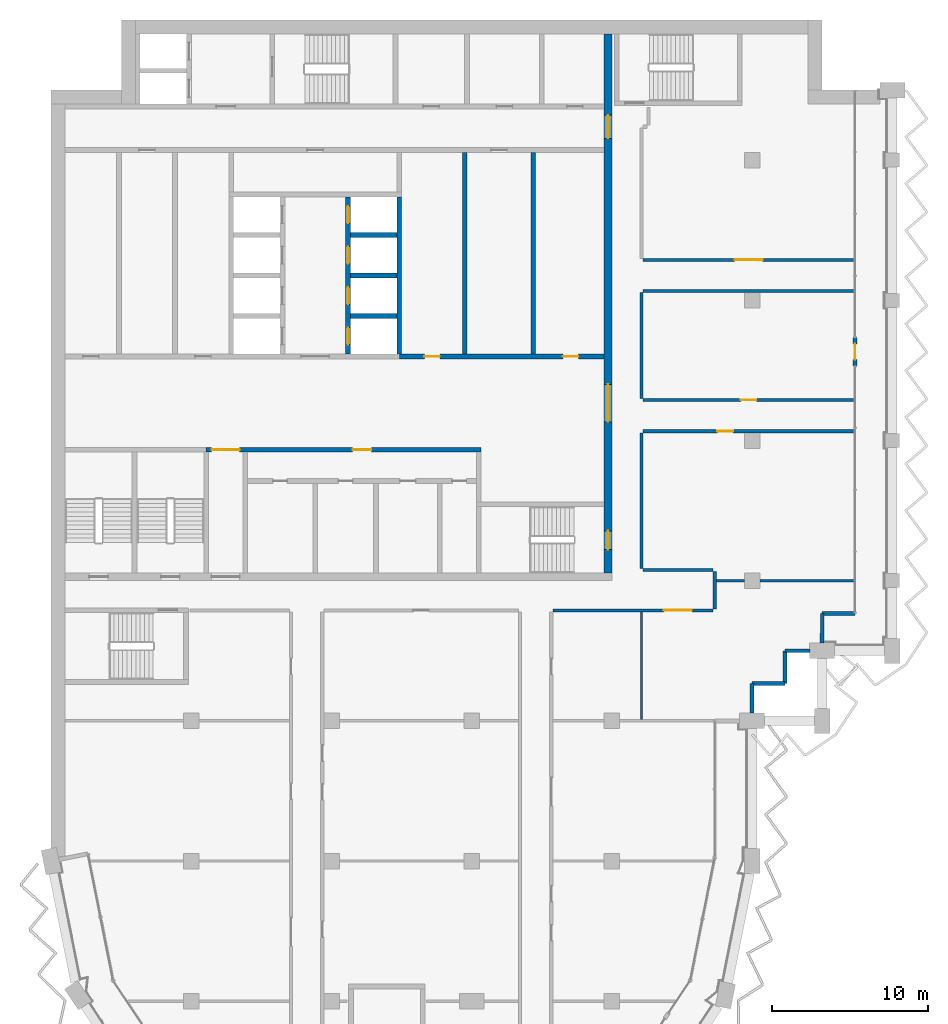
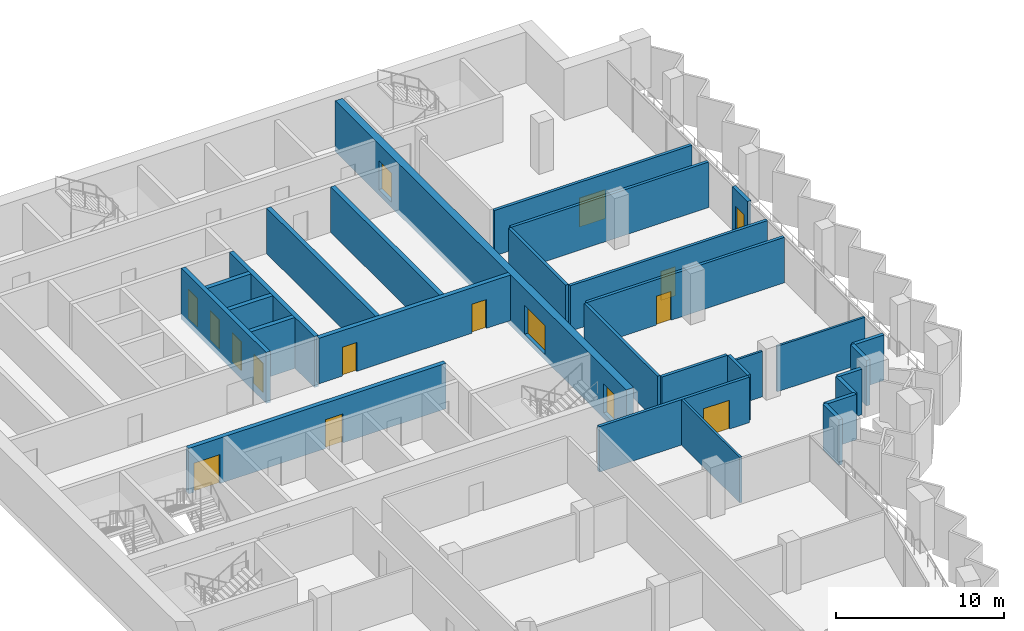
# One storey, part 9 of 16: 29 walls, 16 doors, 16 openings.
"""IFC4 building model written with IfcOpenShell, lengths in metres."""

from ifc_helpers import new_model, si_unit, direction, frame, frame_2d, origin, place, context, subcontext, project, spatial, rectangle, extrude, material, layer, layer_set, type_object, element, fill, save


model = new_model("IFC4")

# Units and contexts
model_context = context("Model", 3, precision=1e-05, world=origin(), true_north=direction((0.0, 1.0)))
body_context = subcontext(model_context, "Body", "Model", "MODEL_VIEW")
ifc_project = project(units=[si_unit("LENGTHUNIT", "METRE"), si_unit("AREAUNIT", "SQUARE_METRE"), si_unit("VOLUMEUNIT", "CUBIC_METRE"), si_unit("PLANEANGLEUNIT", "RADIAN"), si_unit("MASSUNIT", "GRAM", prefix="KILO")], contexts=[model_context])

# Site, building, storey
site_placement = place(None, origin())
site = spatial("IfcSite", under=ifc_project, at=site_placement, CompositionType="ELEMENT")
building_placement = place(site_placement, origin())
building = spatial("IfcBuilding", under=site, at=building_placement, Name="Hunhe Ridgeline Campus", CompositionType="ELEMENT")
storey_placement = place(building_placement, frame((0.0, 0.0, 250.300048828125)))
storey = spatial("IfcBuildingStorey", under=building, at=storey_placement, Name="L64", CompositionType="ELEMENT", Elevation=250.300048828125)

# Wall, openings, doors
ifc_material_1 = material(Name="Masonry concrete blockwork", Category="masonry")
ifc_layer_1 = layer(ifc_material_1, 0.300048828125)
ifc_layer_set_1 = layer_set([ifc_layer_1], Name="Core room partition 300 concrete block")
wall_type_1 = type_object("IfcWallType", Name="Core room partition 300 concrete block", PredefinedType="PARTITIONING", material=ifc_layer_set_1)
wall_1_placement = place(storey_placement, frame((9.949951171875, 71.39990234375, 0.0), z_axis=(0.0, 0.0, 1.0), x_axis=(1.0, 0.0, 0.0)))
wall_1 = element("IfcWall", 1, at=wall_1_placement, inside=storey, type_object=wall_type_1, Name="L64 core partition 9", PredefinedType="PARTITIONING", context=body_context, shape_type="SweptSolid", body=[
    extrude(rectangle(XDim=17.650146484375, YDim=0.300048828125, at=frame_2d((8.8251953125, 0.0))), origin(), (0.0, 0.0, 1.0), 3.300048828125),
])
opening_1_placement = place(wall_1_placement, frame((0.35009765625, 0.0, 0.0)))
opening_1 = element("IfcOpeningElement", 2, at=opening_1_placement, cuts=wall_1, Name="Opening CD7", PredefinedType="OPENING", context=body_context, shape_type="SweptSolid", body=[
    extrude(rectangle(XDim=1.800048828125, YDim=2.10009765625, at=frame_2d((0.89990234375, 1.050048828125))), frame((0.0, 0.14990234375, 0.0), z_axis=(0.0, -1.0, 0.0), x_axis=(1.0, 0.0, 0.0)), (0.0, 0.0, 1.0), 0.300048828125),
])
opening_2_placement = place(wall_1_placement, frame((9.39990234375, 0.0, 0.0)))
opening_2 = element("IfcOpeningElement", 3, at=opening_2_placement, cuts=wall_1, Name="Opening CD12", PredefinedType="OPENING", context=body_context, shape_type="SweptSolid", body=[
    extrude(rectangle(XDim=1.199951171875, YDim=2.10009765625, at=frame_2d((0.60009765625, 1.050048828125))), frame((0.0, 0.14990234375, 0.0), z_axis=(0.0, -1.0, 0.0), x_axis=(1.0, 0.0, 0.0)), (0.0, 0.0, 1.0), 0.300048828125),
])
ifc_material_2 = material(Name="Anodised aluminium and glass", Category="aluminium")
door_type_1 = type_object("IfcDoorType", Name="Glazed double door 1800x2100", OperationType="DOUBLE_DOOR_SINGLE_SWING", PredefinedType="DOOR", material=ifc_material_2)
door_1_placement = place(opening_1_placement, origin())
door_1 = element("IfcDoor", 4, at=door_1_placement, inside=storey, type_object=door_type_1, Name="L64 door VEST-HALL", OperationType="DOUBLE_DOOR_SINGLE_SWING", OverallHeight=2.10009765625, OverallWidth=1.800048828125, PredefinedType="DOOR", context=body_context, shape_type="SweptSolid", body=[
    extrude(rectangle(XDim=1.800048828125, YDim=2.10009765625, at=frame_2d((0.89990234375, 1.050048828125))), frame((0.0, 0.02490234375, 0.0), z_axis=(0.0, -1.0, 0.0), x_axis=(1.0, 0.0, 0.0)), (0.0, 0.0, 1.0), 0.050048828125),
])
fill(opening_1, door_1)
ifc_material_3 = material(Name="Solid core timber door leaf", Category="wood")
door_type_2 = type_object("IfcDoorType", Name="Timber door 1200x2100", OperationType="SINGLE_SWING_LEFT", PredefinedType="DOOR", material=ifc_material_3)
door_2_placement = place(opening_2_placement, origin())
door_2 = element("IfcDoor", 5, at=door_2_placement, inside=storey, type_object=door_type_2, Name="L64 door WCL2-HALL", OperationType="SINGLE_SWING_RIGHT", OverallHeight=2.10009765625, OverallWidth=1.199951171875, PredefinedType="DOOR", context=body_context, shape_type="SweptSolid", body=[
    extrude(rectangle(XDim=1.199951171875, YDim=2.10009765625, at=frame_2d((0.60009765625, 1.050048828125))), frame((0.0, 0.02490234375, 0.0), z_axis=(0.0, -1.0, 0.0), x_axis=(1.0, 0.0, 0.0)), (0.0, 0.0, 1.0), 0.050048828125),
])
fill(opening_2, door_2)

wall_2_placement = place(storey_placement, frame((22.35009765625, 77.39990234375, 0.0), z_axis=(0.0, 0.0, 1.0), x_axis=(1.0, 0.0, 0.0)))
wall_2 = element("IfcWall", 6, at=wall_2_placement, inside=storey, type_object=wall_type_1, Name="L64 core partition 11", PredefinedType="PARTITIONING", context=body_context, shape_type="SweptSolid", body=[
    extrude(rectangle(XDim=13.14990234375, YDim=0.300048828125, at=frame_2d((6.574951171875, 0.0))), origin(), (0.0, 0.0, 1.0), 3.300048828125),
])
opening_3_placement = place(wall_2_placement, frame((1.60009765625, 0.0, 0.0)))
opening_3 = element("IfcOpeningElement", 7, at=opening_3_placement, cuts=wall_2, Name="Opening CD32", PredefinedType="OPENING", context=body_context, shape_type="SweptSolid", body=[
    extrude(rectangle(XDim=1.0, YDim=2.10009765625, at=frame_2d((0.5, 1.050048828125))), frame((0.0, 0.14990234375, 0.0), z_axis=(0.0, -1.0, 0.0), x_axis=(1.0, 0.0, 0.0)), (0.0, 0.0, 1.0), 0.300048828125),
])
opening_4_placement = place(wall_2_placement, frame((10.5, 0.0, 0.0)))
opening_4 = element("IfcOpeningElement", 8, at=opening_4_placement, cuts=wall_2, Name="Opening CD42", PredefinedType="OPENING", context=body_context, shape_type="SweptSolid", body=[
    extrude(rectangle(XDim=1.0, YDim=2.10009765625, at=frame_2d((0.5, 1.050048828125))), frame((0.0, 0.14990234375, 0.0), z_axis=(0.0, -1.0, 0.0), x_axis=(1.0, 0.0, 0.0)), (0.0, 0.0, 1.0), 0.300048828125),
])
door_type_3 = type_object("IfcDoorType", Name="Timber door 1000x2100", OperationType="SINGLE_SWING_LEFT", PredefinedType="DOOR", material=ifc_material_3)
door_3_placement = place(opening_3_placement, origin())
door_3 = element("IfcDoor", 9, at=door_3_placement, inside=storey, type_object=door_type_3, Name="L64 door ES0", OperationType="SINGLE_SWING_RIGHT", OverallHeight=2.10009765625, OverallWidth=1.0, PredefinedType="DOOR", context=body_context, shape_type="SweptSolid", body=[
    extrude(rectangle(XDim=1.0, YDim=2.10009765625, at=frame_2d((0.5, 1.050048828125))), frame((0.0, 0.02490234375, 0.0), z_axis=(0.0, -1.0, 0.0), x_axis=(1.0, 0.0, 0.0)), (0.0, 0.0, 1.0), 0.050048828125),
])
fill(opening_3, door_3)
door_4_placement = place(opening_4_placement, origin())
door_4 = element("IfcDoor", 10, at=door_4_placement, inside=storey, type_object=door_type_3, Name="L64 door ES2", OperationType="SINGLE_SWING_RIGHT", OverallHeight=2.10009765625, OverallWidth=1.0, PredefinedType="DOOR", context=body_context, shape_type="SweptSolid", body=[
    extrude(rectangle(XDim=1.0, YDim=2.10009765625, at=frame_2d((0.5, 1.050048828125))), frame((0.0, 0.02490234375, 0.0), z_axis=(0.0, -1.0, 0.0), x_axis=(1.0, 0.0, 0.0)), (0.0, 0.0, 1.0), 0.050048828125),
])
fill(opening_4, door_4)

# Walls
for number, where, z_axis, x_axis, name in (
    (11, (26.550048828125, 77.550048828125, 0.0), (0.0, 0.0, 1.0), (0.0, 1.0, 0.0), "L64 core partition 44"),
    (12, (30.949951171875, 77.550048828125, 0.0), (0.0, 0.0, 1.0), (0.0, 1.0, 0.0), "L64 core partition 48"),
):
    element("IfcWall", number, at=place(storey_placement, frame(where, z_axis=z_axis, x_axis=x_axis)), inside=storey, type_object=wall_type_1, Name=name, PredefinedType="PARTITIONING", context=body_context, shape_type="SweptSolid", body=[
        extrude(rectangle(XDim=12.949951171875, YDim=0.300048828125, at=frame_2d((6.47509765625, 0.0))), origin(), (0.0, 0.0, 1.0), 3.300048828125),
    ])

# Wall, openings, doors
ifc_material_4 = material(Name="Concrete C50", Category="concrete")
ifc_layer_2 = layer(ifc_material_4, 0.5)
ifc_layer_set_2 = layer_set([ifc_layer_2], Name="Core wall 500 reinforced concrete C50")
wall_type_2 = type_object("IfcWallType", Name="Core wall 500 reinforced concrete C50", PredefinedType="SOLIDWALL", material=ifc_layer_set_2)
wall_3_placement = place(storey_placement, frame((35.75, 63.5, -0.400146484375), z_axis=(0.0, 0.0, 1.0), x_axis=(0.0, 1.0, 0.0)))
wall_3 = element("IfcWall", 13, at=wall_3_placement, inside=storey, type_object=wall_type_2, Name="L64 core wall 50", PredefinedType="SOLIDWALL", context=body_context, shape_type="SweptSolid", body=[
    extrude(rectangle(XDim=34.60009765625, YDim=0.5, at=frame_2d((17.300048828125, 0.0))), origin(), (0.0, 0.0, 1.0), 3.7001953125),
])
opening_5_placement = place(wall_3_placement, frame((9.699951171875, 0.0, 0.39990234375)))
opening_5 = element("IfcOpeningElement", 14, at=opening_5_placement, cuts=wall_3, Name="Opening CD4", PredefinedType="OPENING", context=body_context, shape_type="SweptSolid", body=[
    extrude(rectangle(XDim=2.39990234375, YDim=2.10009765625, at=frame_2d((1.199951171875, 1.050048828125))), frame((0.0, 0.25, 0.0), z_axis=(0.0, -1.0, 0.0), x_axis=(1.0, 0.0, 0.0)), (0.0, 0.0, 1.0), 0.5),
])
opening_6_placement = place(wall_3_placement, frame((27.89990234375, 0.0, 0.39990234375)))
opening_6 = element("IfcOpeningElement", 15, at=opening_6_placement, cuts=wall_3, Name="Opening CD5", PredefinedType="OPENING", context=body_context, shape_type="SweptSolid", body=[
    extrude(rectangle(XDim=1.5, YDim=2.10009765625, at=frame_2d((0.75, 1.050048828125))), frame((0.0, 0.25, 0.0), z_axis=(0.0, -1.0, 0.0), x_axis=(1.0, 0.0, 0.0)), (0.0, 0.0, 1.0), 0.5),
])
opening_7_placement = place(wall_3_placement, frame((1.5, 0.0, 0.39990234375)))
opening_7 = element("IfcOpeningElement", 16, at=opening_7_placement, cuts=wall_3, Name="Opening CD15", PredefinedType="OPENING", context=body_context, shape_type="SweptSolid", body=[
    extrude(rectangle(XDim=1.199951171875, YDim=2.10009765625, at=frame_2d((0.60009765625, 1.050048828125))), frame((0.0, 0.25, 0.0), z_axis=(0.0, -1.0, 0.0), x_axis=(1.0, 0.0, 0.0)), (0.0, 0.0, 1.0), 0.5),
])
door_type_4 = type_object("IfcDoorType", Name="Glazed double door 2400x2100", OperationType="DOUBLE_DOOR_SINGLE_SWING", PredefinedType="DOOR", material=ifc_material_2)
door_5_placement = place(opening_5_placement, frame((2.39990234375, 0.0, 0.0), z_axis=(0.0, 0.0, 1.0), x_axis=(-1.0, 0.0, 0.0)))
door_5 = element("IfcDoor", 17, at=door_5_placement, inside=storey, type_object=door_type_4, Name="L64 door HALL-FLOOR", OperationType="DOUBLE_DOOR_SINGLE_SWING", OverallHeight=2.10009765625, OverallWidth=2.39990234375, PredefinedType="DOOR", context=body_context, shape_type="SweptSolid", body=[
    extrude(rectangle(XDim=2.39990234375, YDim=2.10009765625, at=frame_2d((1.199951171875, 1.050048828125))), frame((0.0, 0.02490234375, 0.0), z_axis=(0.0, -1.0, 0.0), x_axis=(1.0, 0.0, 0.0)), (0.0, 0.0, 1.0), 0.050048828125),
])
fill(opening_5, door_5)
ifc_material_5 = material(Name="Hollow metal fire door leaf")
door_type_5 = type_object("IfcDoorType", Name="Stair door 1200x2100 FD60", OperationType="SINGLE_SWING_LEFT", PredefinedType="DOOR", material=ifc_material_5)
door_6_placement = place(opening_7_placement, frame((1.199951171875, 0.0, 0.0), z_axis=(0.0, 0.0, 1.0), x_axis=(-1.0, 0.0, 0.0)))
door_6 = element("IfcDoor", 18, at=door_6_placement, inside=storey, type_object=door_type_5, Name="L64 door S2-FLOOR", OperationType="SINGLE_SWING_LEFT", OverallHeight=2.10009765625, OverallWidth=1.199951171875, PredefinedType="DOOR", context=body_context, shape_type="SweptSolid", body=[
    extrude(rectangle(XDim=1.199951171875, YDim=2.10009765625, at=frame_2d((0.60009765625, 1.050048828125))), frame((0.0, 0.02490234375, 0.0), z_axis=(0.0, -1.0, 0.0), x_axis=(1.0, 0.0, 0.0)), (0.0, 0.0, 1.0), 0.050048828125),
])
fill(opening_7, door_6)
door_type_6 = type_object("IfcDoorType", Name="Timber door 1500x2100", OperationType="SINGLE_SWING_LEFT", PredefinedType="DOOR", material=ifc_material_3)
door_7_placement = place(opening_6_placement, frame((1.5, 0.0, 0.0), z_axis=(0.0, 0.0, 1.0), x_axis=(-1.0, 0.0, 0.0)))
door_7 = element("IfcDoor", 19, at=door_7_placement, inside=storey, type_object=door_type_6, Name="L64 door C1-FLOOR", OperationType="SINGLE_SWING_LEFT", OverallHeight=2.10009765625, OverallWidth=1.5, PredefinedType="DOOR", context=body_context, shape_type="SweptSolid", body=[
    extrude(rectangle(XDim=1.5, YDim=2.10009765625, at=frame_2d((0.75, 1.050048828125))), frame((0.0, 0.02490234375, 0.0), z_axis=(0.0, -1.0, 0.0), x_axis=(1.0, 0.0, 0.0)), (0.0, 0.0, 1.0), 0.050048828125),
])
fill(opening_6, door_7)

# Walls
ifc_material_6 = material(Name="Concrete C30", Category="concrete")
ifc_layer_3 = layer(ifc_material_6, 0.25)
ifc_layer_set_3 = layer_set([ifc_layer_3], Name="Corner return wall 250 Concrete C30")
wall_type_3 = type_object("IfcWallType", Name="Corner return wall 250 Concrete C30", PredefinedType="SOLIDWALL", material=ifc_layer_set_3)
wall_4_placement = place(storey_placement, frame((44.9990234375, 54.5, 0.0), z_axis=(0.0, 0.0, 1.0), x_axis=(0.000128452151, 0.99999999175, 0.0)))
element("IfcWall", 20, at=wall_4_placement, inside=storey, type_object=wall_type_3, Name="Corner return wall 3", PredefinedType="SOLIDWALL", context=body_context, shape_type="SweptSolid", body=[
    extrude(rectangle(XDim=1.900634765625, YDim=0.25, at=frame_2d((0.9501953125, 0.0))), origin(), (0.0, 0.0, 1.0), 3.300048828125),
])
wall_5_placement = place(storey_placement, frame((44.999267578125, 56.400634765625, 0.0), z_axis=(0.0, 0.0, 1.0), x_axis=(0.999999993241, 0.00011626555, 0.0)))
element("IfcWall", 21, at=wall_5_placement, inside=storey, type_object=wall_type_3, Name="Corner return wall 4", PredefinedType="SOLIDWALL", context=body_context, shape_type="SweptSolid", body=[
    extrude(rectangle(XDim=2.099853515625, YDim=0.25, at=frame_2d((1.0498046875, 0.0))), origin(), (0.0, 0.0, 1.0), 3.300048828125),
])
wall_6_placement = place(storey_placement, frame((47.09912109375, 56.40087890625, 0.0), z_axis=(0.0, 0.0, 1.0), x_axis=(0.000232504063, 0.999999972971, 0.0)))
element("IfcWall", 22, at=wall_6_placement, inside=storey, type_object=wall_type_3, Name="Corner return wall 5", PredefinedType="SOLIDWALL", context=body_context, shape_type="SweptSolid", body=[
    extrude(rectangle(XDim=2.10009765625, YDim=0.25, at=frame_2d((1.050048828125, 0.0))), origin(), (0.0, 0.0, 1.0), 3.300048828125),
])
wall_7_placement = place(storey_placement, frame((47.099609375, 58.5009765625, 0.0), z_axis=(0.0, 0.0, 1.0), x_axis=(1.0, 0.0, 0.0)))
element("IfcWall", 23, at=wall_7_placement, inside=storey, type_object=wall_type_3, Name="Corner return wall 6", PredefinedType="SOLIDWALL", context=body_context, shape_type="SweptSolid", body=[
    extrude(rectangle(XDim=1.600341796875, YDim=0.25, at=frame_2d((0.80029296875, 0.0))), origin(), (0.0, 0.0, 1.0), 3.300048828125),
])
wall_8_placement = place(storey_placement, frame((49.4990234375, 59.0, 0.0), z_axis=(0.0, 0.0, 1.0), x_axis=(0.000256871299, 0.999999967009, 0.0)))
element("IfcWall", 24, at=wall_8_placement, inside=storey, type_object=wall_type_3, Name="Corner return wall 7", PredefinedType="SOLIDWALL", context=body_context, shape_type="SweptSolid", body=[
    extrude(rectangle(XDim=1.90087890625, YDim=0.25, at=frame_2d((0.950439453125, 0.0))), origin(), (0.0, 0.0, 1.0), 3.300048828125),
])
wall_9_placement = place(storey_placement, frame((49.49951171875, 60.90087890625, 0.0), z_axis=(0.0, 0.0, 1.0), x_axis=(1.0, 0.0, 0.0)))
element("IfcWall", 25, at=wall_9_placement, inside=storey, type_object=wall_type_3, Name="Corner return wall 8", PredefinedType="SOLIDWALL", context=body_context, shape_type="SweptSolid", body=[
    extrude(rectangle(XDim=2.099609375, YDim=0.25, at=frame_2d((1.0498046875, 0.0))), origin(), (0.0, 0.0, 1.0), 3.300048828125),
])

# Wall, opening, door
ifc_material_7 = material(Name="Gypsum board partition")
ifc_layer_4 = layer(ifc_material_7, 0.199951171875)
ifc_layer_set_4 = layer_set([ifc_layer_4], Name="Corridor partition 200 gypsum board on steel studs")
wall_type_4 = type_object("IfcWallType", Name="Corridor partition 200 gypsum board on steel studs", PredefinedType="PARTITIONING", material=ifc_layer_set_4)
wall_10_placement = place(storey_placement, frame((42.5, 61.10009765625, 0.0), z_axis=(0.0, 0.0, 1.0), x_axis=(-1.0, 0.0, 0.0)))
wall_10 = element("IfcWall", 26, at=wall_10_placement, inside=storey, type_object=wall_type_4, Name="F-L64-wall-024", PredefinedType="PARTITIONING", context=body_context, shape_type="SweptSolid", body=[
    extrude(rectangle(XDim=10.300048828125, YDim=0.199951171875, at=frame_2d((5.14990234375, 0.0))), origin(), (0.0, 0.0, 1.0), 3.300048828125),
])
opening_8_placement = place(wall_10_placement, frame((1.361083984375, 0.0, 0.0)))
opening_8 = element("IfcOpeningElement", 27, at=opening_8_placement, cuts=wall_10, Name="Opening RD2-016", PredefinedType="OPENING", context=body_context, shape_type="SweptSolid", body=[
    extrude(rectangle(XDim=1.800048828125, YDim=2.10009765625, at=frame_2d((0.89990234375, 1.050048828125))), frame((0.0, 0.10009765625, 0.0), z_axis=(0.0, -1.0, 0.0), x_axis=(1.0, 0.0, 0.0)), (0.0, 0.0, 1.0), 0.199951171875),
])
ifc_material_8 = material(Name="Timber door leaf", Category="wood")
door_type_7 = type_object("IfcDoorType", Name="Double fire door 1800x2100 timber FD60", OperationType="DOUBLE_DOOR_SINGLE_SWING", PredefinedType="DOOR", material=ifc_material_8)
door_8_placement = place(opening_8_placement, origin())
door_8 = element("IfcDoor", 28, at=door_8_placement, inside=storey, type_object=door_type_7, Name="F-L64-door-016", OperationType="DOUBLE_DOOR_SINGLE_SWING", OverallHeight=2.10009765625, OverallWidth=1.800048828125, PredefinedType="DOOR", context=body_context, shape_type="SweptSolid", body=[
    extrude(rectangle(XDim=1.800048828125, YDim=2.10009765625, at=frame_2d((0.89990234375, 1.050048828125))), frame((0.0, 0.02490234375, 0.0), z_axis=(0.0, -1.0, 0.0), x_axis=(1.0, 0.0, 0.0)), (0.0, 0.0, 1.0), 0.050048828125),
])
fill(opening_8, door_8)

# Wall
wall_11_placement = place(storey_placement, frame((38.0, 63.699951171875, 0.0), z_axis=(0.0, 0.0, 1.0), x_axis=(1.0, 0.0, 0.0)))
element("IfcWall", 29, at=wall_11_placement, inside=storey, type_object=wall_type_4, Name="F-L64-wall-027", PredefinedType="PARTITIONING", context=body_context, shape_type="SweptSolid", body=[
    extrude(rectangle(XDim=4.5, YDim=0.199951171875, at=frame_2d((2.25, 0.0))), origin(), (0.0, 0.0, 1.0), 3.300048828125),
])

# Wall, opening, door
wall_12_placement = place(storey_placement, frame((51.544921875, 72.60009765625, 0.0), z_axis=(0.0, 0.0, 1.0), x_axis=(-1.0, 0.0, 0.0)))
wall_12 = element("IfcWall", 30, at=wall_12_placement, inside=storey, type_object=wall_type_4, Name="F-L64-wall-028", PredefinedType="PARTITIONING", context=body_context, shape_type="SweptSolid", body=[
    extrude(rectangle(XDim=13.544921875, YDim=0.199951171875, at=frame_2d((6.7724609375, 0.0))), origin(), (0.0, 0.0, 1.0), 3.300048828125),
])
opening_9_placement = place(wall_12_placement, frame((7.7724609375, 0.0, 0.0)))
opening_9 = element("IfcOpeningElement", 31, at=opening_9_placement, cuts=wall_12, Name="Opening RD1-017", PredefinedType="OPENING", context=body_context, shape_type="SweptSolid", body=[
    extrude(rectangle(XDim=1.0, YDim=2.10009765625, at=frame_2d((0.5, 1.050048828125))), frame((0.0, 0.10009765625, 0.0), z_axis=(0.0, -1.0, 0.0), x_axis=(1.0, 0.0, 0.0)), (0.0, 0.0, 1.0), 0.199951171875),
])
door_type_8 = type_object("IfcDoorType", Name="Single fire door 1000x2100 timber FD60", OperationType="NOTDEFINED", PredefinedType="DOOR", material=ifc_material_8)
door_9_placement = place(opening_9_placement, origin())
door_9 = element("IfcDoor", 32, at=door_9_placement, inside=storey, type_object=door_type_8, Name="F-L64-door-017", OperationType="SINGLE_SWING_RIGHT", OverallHeight=2.10009765625, OverallWidth=1.0, PredefinedType="DOOR", context=body_context, shape_type="SweptSolid", body=[
    extrude(rectangle(XDim=1.0, YDim=2.10009765625, at=frame_2d((0.5, 1.050048828125))), frame((0.0, 0.02490234375, 0.0), z_axis=(0.0, -1.0, 0.0), x_axis=(1.0, 0.0, 0.0)), (0.0, 0.0, 1.0), 0.050048828125),
])
fill(opening_9, door_9)

wall_13_placement = place(storey_placement, frame((38.0, 74.60009765625, 0.0), z_axis=(0.0, 0.0, 1.0), x_axis=(1.0, 0.0, 0.0)))
wall_13 = element("IfcWall", 33, at=wall_13_placement, inside=storey, type_object=wall_type_4, Name="F-L64-wall-029", PredefinedType="PARTITIONING", context=body_context, shape_type="SweptSolid", body=[
    extrude(rectangle(XDim=13.544921875, YDim=0.199951171875, at=frame_2d((6.7724609375, 0.0))), origin(), (0.0, 0.0, 1.0), 3.300048828125),
])
opening_10_placement = place(wall_13_placement, frame((6.2724609375, 0.0, 0.0)))
opening_10 = element("IfcOpeningElement", 34, at=opening_10_placement, cuts=wall_13, Name="Opening RD1-018", PredefinedType="OPENING", context=body_context, shape_type="SweptSolid", body=[
    extrude(rectangle(XDim=1.0, YDim=2.10009765625, at=frame_2d((0.5, 1.050048828125))), frame((0.0, 0.10009765625, 0.0), z_axis=(0.0, -1.0, 0.0), x_axis=(1.0, 0.0, 0.0)), (0.0, 0.0, 1.0), 0.199951171875),
])
door_10_placement = place(opening_10_placement, origin())
door_10 = element("IfcDoor", 35, at=door_10_placement, inside=storey, type_object=door_type_8, Name="F-L64-door-018", OperationType="SINGLE_SWING_RIGHT", OverallHeight=2.10009765625, OverallWidth=1.0, PredefinedType="DOOR", context=body_context, shape_type="SweptSolid", body=[
    extrude(rectangle(XDim=1.0, YDim=2.10009765625, at=frame_2d((0.5, 1.050048828125))), frame((0.0, 0.02490234375, 0.0), z_axis=(0.0, -1.0, 0.0), x_axis=(1.0, 0.0, 0.0)), (0.0, 0.0, 1.0), 0.050048828125),
])
fill(opening_10, door_10)

# Wall
wall_14_placement = place(storey_placement, frame((51.544921875, 81.60009765625, 0.0), z_axis=(0.0, 0.0, 1.0), x_axis=(-1.0, 0.0, 0.0)))
element("IfcWall", 36, at=wall_14_placement, inside=storey, type_object=wall_type_4, Name="F-L64-wall-030", PredefinedType="PARTITIONING", context=body_context, shape_type="SweptSolid", body=[
    extrude(rectangle(XDim=13.544921875, YDim=0.199951171875, at=frame_2d((6.7724609375, 0.0))), origin(), (0.0, 0.0, 1.0), 3.300048828125),
])

# Wall, opening, door
wall_15_placement = place(storey_placement, frame((38.0, 83.60009765625, 0.0), z_axis=(0.0, 0.0, 1.0), x_axis=(1.0, 0.0, 0.0)))
wall_15 = element("IfcWall", 37, at=wall_15_placement, inside=storey, type_object=wall_type_4, Name="F-L64-wall-031", PredefinedType="PARTITIONING", context=body_context, shape_type="SweptSolid", body=[
    extrude(rectangle(XDim=13.544921875, YDim=0.199951171875, at=frame_2d((6.7724609375, 0.0))), origin(), (0.0, 0.0, 1.0), 3.300048828125),
])
opening_11_placement = place(wall_15_placement, frame((5.87255859375, 0.0, 0.0)))
opening_11 = element("IfcOpeningElement", 38, at=opening_11_placement, cuts=wall_15, Name="Opening RD2-019", PredefinedType="OPENING", context=body_context, shape_type="SweptSolid", body=[
    extrude(rectangle(XDim=1.800048828125, YDim=2.10009765625, at=frame_2d((0.89990234375, 1.050048828125))), frame((0.0, 0.10009765625, 0.0), z_axis=(0.0, -1.0, 0.0), x_axis=(1.0, 0.0, 0.0)), (0.0, 0.0, 1.0), 0.199951171875),
])
door_11_placement = place(opening_11_placement, origin())
door_11 = element("IfcDoor", 39, at=door_11_placement, inside=storey, type_object=door_type_7, Name="F-L64-door-019", OperationType="DOUBLE_DOOR_SINGLE_SWING", OverallHeight=2.10009765625, OverallWidth=1.800048828125, PredefinedType="DOOR", context=body_context, shape_type="SweptSolid", body=[
    extrude(rectangle(XDim=1.800048828125, YDim=2.10009765625, at=frame_2d((0.89990234375, 1.050048828125))), frame((0.0, 0.02490234375, 0.0), z_axis=(0.0, -1.0, 0.0), x_axis=(1.0, 0.0, 0.0)), (0.0, 0.0, 1.0), 0.050048828125),
])
fill(opening_11, door_11)

# Walls
wall_16_placement = place(storey_placement, frame((37.89990234375, 72.5, 0.0), z_axis=(0.0, 0.0, 1.0), x_axis=(0.0, -1.0, 0.0)))
element("IfcWall", 40, at=wall_16_placement, inside=storey, type_object=wall_type_4, Name="F-L64-wall-039", PredefinedType="PARTITIONING", context=body_context, shape_type="SweptSolid", body=[
    extrude(rectangle(XDim=8.699951171875, YDim=0.199951171875, at=frame_2d((4.35009765625, 0.0))), origin(), (0.0, 0.0, 1.0), 3.300048828125),
])
wall_17_placement = place(storey_placement, frame((37.89990234375, 81.5, 0.0), z_axis=(0.0, 0.0, 1.0), x_axis=(0.0, -1.0, 0.0)))
element("IfcWall", 41, at=wall_17_placement, inside=storey, type_object=wall_type_4, Name="F-L64-wall-040", PredefinedType="PARTITIONING", context=body_context, shape_type="SweptSolid", body=[
    extrude(rectangle(XDim=6.800048828125, YDim=0.199951171875, at=frame_2d((3.39990234375, 0.0))), origin(), (0.0, 0.0, 1.0), 3.300048828125),
])
wall_18_placement = place(storey_placement, frame((42.60009765625, 63.60009765625, 0.0), z_axis=(0.0, 0.0, 1.0), x_axis=(0.0, -1.0, 0.0)))
element("IfcWall", 42, at=wall_18_placement, inside=storey, type_object=wall_type_4, Name="F-L64-wall-043", PredefinedType="PARTITIONING", context=body_context, shape_type="SweptSolid", body=[
    extrude(rectangle(XDim=2.400146484375, YDim=0.199951171875, at=frame_2d((1.2001953125, 0.0))), origin(), (0.0, 0.0, 1.0), 3.300048828125),
])

# Wall, opening, door
ifc_layer_5 = layer(ifc_material_6, 0.25)
ifc_layer_set_5 = layer_set([ifc_layer_5], Name="Loggia door pier wall 250 Concrete C30")
wall_type_5 = type_object("IfcWallType", Name="Loggia door pier wall 250 Concrete C30", PredefinedType="SOLIDWALL", material=ifc_layer_set_5)
wall_19_placement = place(storey_placement, frame((51.59912109375, 76.800537109375, 0.0), z_axis=(0.0, 0.0, 1.0), x_axis=(0.0, 1.0, 0.0)))
wall_19 = element("IfcWall", 43, at=wall_19_placement, inside=storey, type_object=wall_type_5, Name="Loggia door pier 3", PredefinedType="SOLIDWALL", context=body_context, shape_type="SweptSolid", body=[
    extrude(rectangle(XDim=1.800048828125, YDim=0.25, at=frame_2d((0.89990234375, 0.0))), origin(), (0.0, 0.0, 1.0), 3.300048828125),
])
opening_12_placement = place(wall_19_placement, frame((0.39990234375, 0.0, 0.0)))
opening_12 = element("IfcOpeningElement", 44, at=opening_12_placement, cuts=wall_19, Name="Opening BD506", PredefinedType="OPENING", context=body_context, shape_type="SweptSolid", body=[
    extrude(rectangle(XDim=1.0, YDim=2.10009765625, at=frame_2d((0.5, 1.050048828125))), frame((0.0, 0.125, 0.0), z_axis=(0.0, -1.0, 0.0), x_axis=(1.0, 0.0, 0.0)), (0.0, 0.0, 1.0), 0.25),
])
ifc_material_9 = material(Name="Aluminium 6063", Category="aluminium")
door_type_9 = type_object("IfcDoorType", Name="Loggia glazed door 1000x2100", OperationType="NOTDEFINED", PredefinedType="DOOR", material=ifc_material_9)
door_12_placement = place(opening_12_placement, frame((1.0, 0.0, 0.0), z_axis=(0.0, 0.0, 1.0), x_axis=(-1.0, 0.0, 0.0)))
door_12 = element("IfcDoor", 45, at=door_12_placement, inside=storey, type_object=door_type_9, Name="Loggia door BD506", OperationType="SINGLE_SWING_LEFT", OverallHeight=2.10009765625, OverallWidth=1.0, PredefinedType="DOOR", context=body_context, shape_type="SweptSolid", body=[
    extrude(rectangle(XDim=1.0, YDim=2.10009765625, at=frame_2d((0.5, 1.050048828125))), frame((0.0, 0.02490234375, 0.0), z_axis=(0.0, -1.0, 0.0), x_axis=(1.0, 0.0, 0.0)), (0.0, 0.0, 1.0), 0.050048828125),
])
fill(opening_12, door_12)

# Walls
ifc_layer_6 = layer(ifc_material_7, 0.14990234375)
ifc_layer_set_6 = layer_set([ifc_layer_6], Name="Room partition 150 gypsum board on steel studs")
wall_type_6 = type_object("IfcWallType", Name="Room partition 150 gypsum board on steel studs", PredefinedType="PARTITIONING", material=ifc_layer_set_6)
wall_20_placement = place(storey_placement, frame((42.699951171875, 63.0, 0.0), z_axis=(0.0, 0.0, 1.0), x_axis=(1.0, 0.0, 0.0)))
element("IfcWall", 46, at=wall_20_placement, inside=storey, type_object=wall_type_6, Name="F-L64-wall-025", PredefinedType="PARTITIONING", context=body_context, shape_type="SweptSolid", body=[
    extrude(rectangle(XDim=1.800048828125, YDim=0.14990234375, at=frame_2d((0.89990234375, 0.0))), origin(), (0.0, 0.0, 1.0), 3.300048828125),
])
wall_21_placement = place(storey_placement, frame((45.5, 63.0, 0.0), z_axis=(0.0, 0.0, 1.0), x_axis=(1.0, 0.0, 0.0)))
element("IfcWall", 47, at=wall_21_placement, inside=storey, type_object=wall_type_6, Name="F-L64-wall-026", PredefinedType="PARTITIONING", context=body_context, shape_type="SweptSolid", body=[
    extrude(rectangle(XDim=6.044921875, YDim=0.14990234375, at=frame_2d((3.0224609375, 0.0))), origin(), (0.0, 0.0, 1.0), 3.300048828125),
])
wall_22_placement = place(storey_placement, frame((37.89990234375, 61.0, 0.0), z_axis=(0.0, 0.0, 1.0), x_axis=(0.0, -1.0, 0.0)))
element("IfcWall", 48, at=wall_22_placement, inside=storey, type_object=wall_type_6, Name="F-L64-wall-038", PredefinedType="PARTITIONING", context=body_context, shape_type="SweptSolid", body=[
    extrude(rectangle(XDim=6.925048828125, YDim=0.14990234375, at=frame_2d((3.46240234375, 0.0))), origin(), (0.0, 0.0, 1.0), 3.300048828125),
])
ifc_layer_7 = layer(ifc_material_4, 0.300048828125)
ifc_layer_set_7 = layer_set([ifc_layer_7], Name="Shaft wall 300 reinforced concrete C50")
wall_type_7 = type_object("IfcWallType", Name="Shaft wall 300 reinforced concrete C50", PredefinedType="SOLIDWALL", material=ifc_layer_set_7)
for number, where, z_axis, x_axis, name in (
    (49, (19.199951171875, 80.0, -0.400146484375), (0.0, 0.0, 1.0), (1.0, 0.0, 0.0), "L64 core wall 13"),
    (50, (19.199951171875, 82.60009765625, -0.400146484375), (0.0, 0.0, 1.0), (1.0, 0.0, 0.0), "L64 core wall 15"),
    (51, (19.199951171875, 85.199951171875, -0.400146484375), (0.0, 0.0, 1.0), (1.0, 0.0, 0.0), "L64 core wall 17"),
):
    element("IfcWall", number, at=place(storey_placement, frame(where, z_axis=z_axis, x_axis=x_axis)), inside=storey, type_object=wall_type_7, Name=name, PredefinedType="SOLIDWALL", context=body_context, shape_type="SweptSolid", body=[
        extrude(rectangle(XDim=3.0, YDim=0.300048828125, at=frame_2d((1.5, 0.0))), origin(), (0.0, 0.0, 1.0), 3.7001953125),
    ])

# Wall, openings, doors
wall_23_placement = place(storey_placement, frame((19.050048828125, 77.550048828125, -0.400146484375), z_axis=(0.0, 0.0, 1.0), x_axis=(0.0, 1.0, 0.0)))
wall_23 = element("IfcWall", 52, at=wall_23_placement, inside=storey, type_object=wall_type_7, Name="L64 core wall 36", PredefinedType="SOLIDWALL", context=body_context, shape_type="SweptSolid", body=[
    extrude(rectangle(XDim=10.099853515625, YDim=0.300048828125, at=frame_2d((5.0498046875, 0.0))), origin(), (0.0, 0.0, 1.0), 3.7001953125),
])
opening_13_placement = place(wall_23_placement, frame((0.60009765625, 0.0, 0.39990234375)))
opening_13 = element("IfcOpeningElement", 53, at=opening_13_placement, cuts=wall_23, Name="Opening LD-HR5", PredefinedType="OPENING", context=body_context, shape_type="SweptSolid", body=[
    extrude(rectangle(XDim=1.10009765625, YDim=2.10009765625, at=frame_2d((0.550048828125, 1.050048828125))), frame((0.0, 0.14990234375, 0.0), z_axis=(0.0, -1.0, 0.0), x_axis=(1.0, 0.0, 0.0)), (0.0, 0.0, 1.0), 0.300048828125),
])
opening_14_placement = place(wall_23_placement, frame((3.199951171875, 0.0, 0.39990234375)))
opening_14 = element("IfcOpeningElement", 54, at=opening_14_placement, cuts=wall_23, Name="Opening LD-HR6", PredefinedType="OPENING", context=body_context, shape_type="SweptSolid", body=[
    extrude(rectangle(XDim=1.10009765625, YDim=2.10009765625, at=frame_2d((0.550048828125, 1.050048828125))), frame((0.0, 0.14990234375, 0.0), z_axis=(0.0, -1.0, 0.0), x_axis=(1.0, 0.0, 0.0)), (0.0, 0.0, 1.0), 0.300048828125),
])
opening_15_placement = place(wall_23_placement, frame((5.800048828125, 0.0, 0.39990234375)))
opening_15 = element("IfcOpeningElement", 55, at=opening_15_placement, cuts=wall_23, Name="Opening LD-HR7", PredefinedType="OPENING", context=body_context, shape_type="SweptSolid", body=[
    extrude(rectangle(XDim=1.10009765625, YDim=2.10009765625, at=frame_2d((0.550048828125, 1.050048828125))), frame((0.0, 0.14990234375, 0.0), z_axis=(0.0, -1.0, 0.0), x_axis=(1.0, 0.0, 0.0)), (0.0, 0.0, 1.0), 0.300048828125),
])
opening_16_placement = place(wall_23_placement, frame((8.39990234375, 0.0, 0.39990234375)))
opening_16 = element("IfcOpeningElement", 56, at=opening_16_placement, cuts=wall_23, Name="Opening LD-HR8", PredefinedType="OPENING", context=body_context, shape_type="SweptSolid", body=[
    extrude(rectangle(XDim=1.10009765625, YDim=2.10009765625, at=frame_2d((0.550048828125, 1.050048828125))), frame((0.0, 0.14990234375, 0.0), z_axis=(0.0, -1.0, 0.0), x_axis=(1.0, 0.0, 0.0)), (0.0, 0.0, 1.0), 0.300048828125),
])
ifc_material_10 = material(Name="Stainless steel sliding leaves", Category="steel")
door_type_10 = type_object("IfcDoorType", Name="Landing door 1100x2100 FD120", OperationType="SLIDING_TO_LEFT", PredefinedType="DOOR", material=ifc_material_10)
door_13_placement = place(opening_13_placement, origin())
door_13 = element("IfcDoor", 57, at=door_13_placement, inside=storey, type_object=door_type_10, Name="L64 landing door HR5", OperationType="SLIDING_TO_RIGHT", OverallHeight=2.10009765625, OverallWidth=1.10009765625, PredefinedType="DOOR", context=body_context, shape_type="SweptSolid", body=[
    extrude(rectangle(XDim=1.10009765625, YDim=2.10009765625, at=frame_2d((0.550048828125, 1.050048828125))), frame((0.0, 0.02490234375, 0.0), z_axis=(0.0, -1.0, 0.0), x_axis=(1.0, 0.0, 0.0)), (0.0, 0.0, 1.0), 0.050048828125),
])
fill(opening_13, door_13)
door_14_placement = place(opening_14_placement, origin())
door_14 = element("IfcDoor", 58, at=door_14_placement, inside=storey, type_object=door_type_10, Name="L64 landing door HR6", OperationType="SLIDING_TO_LEFT", OverallHeight=2.10009765625, OverallWidth=1.10009765625, PredefinedType="DOOR", context=body_context, shape_type="SweptSolid", body=[
    extrude(rectangle(XDim=1.10009765625, YDim=2.10009765625, at=frame_2d((0.550048828125, 1.050048828125))), frame((0.0, 0.02490234375, 0.0), z_axis=(0.0, -1.0, 0.0), x_axis=(1.0, 0.0, 0.0)), (0.0, 0.0, 1.0), 0.050048828125),
])
fill(opening_14, door_14)
door_15_placement = place(opening_15_placement, origin())
door_15 = element("IfcDoor", 59, at=door_15_placement, inside=storey, type_object=door_type_10, Name="L64 landing door HR7", OperationType="SLIDING_TO_RIGHT", OverallHeight=2.10009765625, OverallWidth=1.10009765625, PredefinedType="DOOR", context=body_context, shape_type="SweptSolid", body=[
    extrude(rectangle(XDim=1.10009765625, YDim=2.10009765625, at=frame_2d((0.550048828125, 1.050048828125))), frame((0.0, 0.02490234375, 0.0), z_axis=(0.0, -1.0, 0.0), x_axis=(1.0, 0.0, 0.0)), (0.0, 0.0, 1.0), 0.050048828125),
])
fill(opening_15, door_15)
door_16_placement = place(opening_16_placement, origin())
door_16 = element("IfcDoor", 60, at=door_16_placement, inside=storey, type_object=door_type_10, Name="L64 landing door HR8", OperationType="SLIDING_TO_LEFT", OverallHeight=2.10009765625, OverallWidth=1.10009765625, PredefinedType="DOOR", context=body_context, shape_type="SweptSolid", body=[
    extrude(rectangle(XDim=1.10009765625, YDim=2.10009765625, at=frame_2d((0.550048828125, 1.050048828125))), frame((0.0, 0.02490234375, 0.0), z_axis=(0.0, -1.0, 0.0), x_axis=(1.0, 0.0, 0.0)), (0.0, 0.0, 1.0), 0.050048828125),
])
fill(opening_16, door_16)

# Wall
wall_24_placement = place(storey_placement, frame((22.35009765625, 77.550048828125, -0.400146484375), z_axis=(0.0, 0.0, 1.0), x_axis=(0.0, 1.0, 0.0)))
element("IfcWall", 61, at=wall_24_placement, inside=storey, type_object=wall_type_7, Name="L64 core wall 40", PredefinedType="SOLIDWALL", context=body_context, shape_type="SweptSolid", body=[
    extrude(rectangle(XDim=10.099853515625, YDim=0.300048828125, at=frame_2d((5.0498046875, 0.0))), origin(), (0.0, 0.0, 1.0), 3.7001953125),
])

save(model, "model.ifc")
